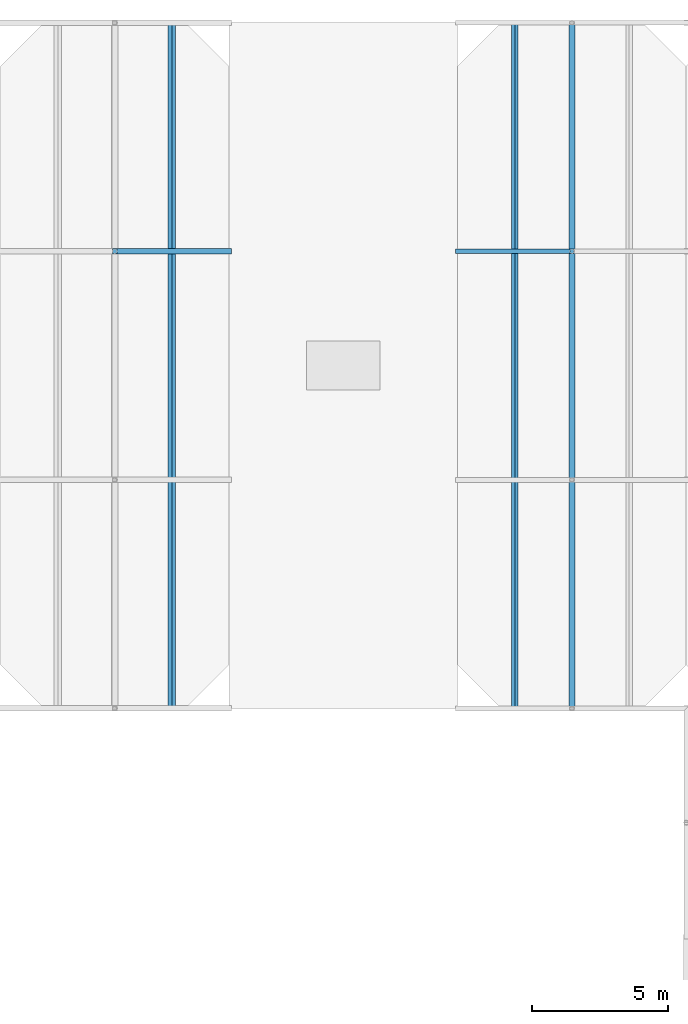
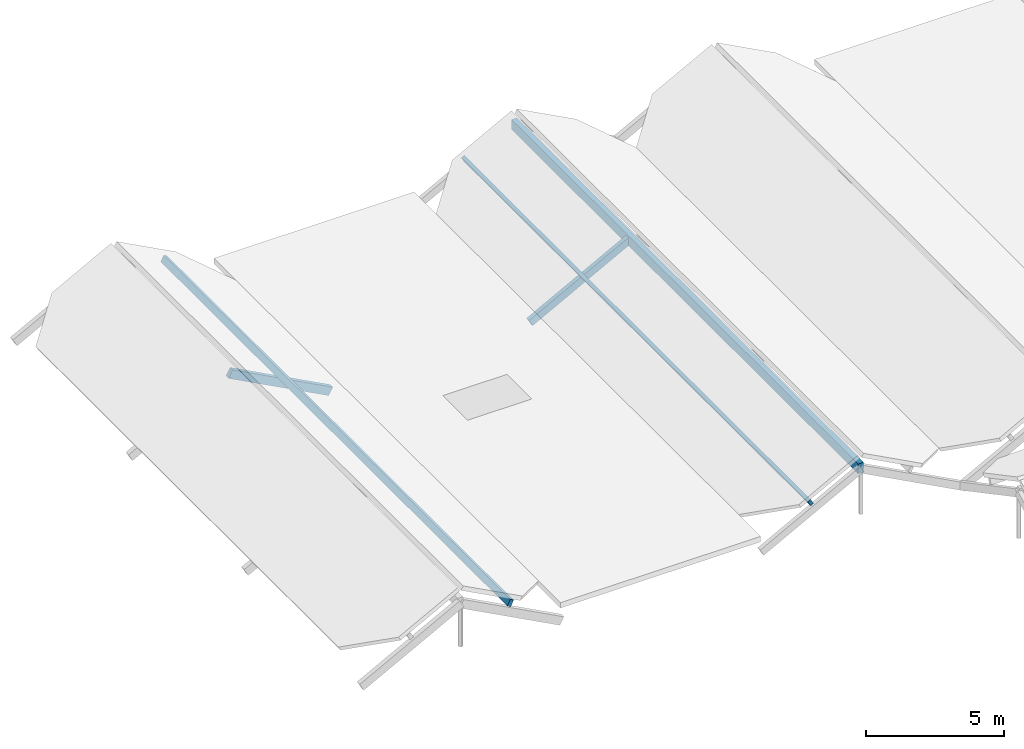
# One storey, part 49 of 82: 4 members, 1 beam.
"""IFC4 building model written with IfcOpenShell, lengths in metres."""

from ifc_helpers import new_model, si_unit, direction, frame, origin, origin_2d, place, context, subcontext, project, spatial, rectangle, extrude, material, material_profile, profile_set, type_object, element, save


model = new_model("IFC4")

# Units and contexts
model_context = context("Model", 3, precision=1e-05, world=origin(), true_north=direction((0.0, 1.0)))
body_context = subcontext(model_context, "Body", "Model", "MODEL_VIEW")
ifc_project = project(units=[si_unit("LENGTHUNIT", "METRE"), si_unit("AREAUNIT", "SQUARE_METRE"), si_unit("VOLUMEUNIT", "CUBIC_METRE"), si_unit("PLANEANGLEUNIT", "RADIAN"), si_unit("MASSUNIT", "GRAM", prefix="KILO")], contexts=[model_context])

# Site, building, storey
site_placement = place(None, origin())
site = spatial("IfcSite", under=ifc_project, at=site_placement, CompositionType="ELEMENT")
building_placement = place(site_placement, origin())
building = spatial("IfcBuilding", under=site, at=building_placement, Name="Bramfleet General Hospital", CompositionType="ELEMENT")
storey_placement = place(building_placement, frame((0.0, 0.0, 34.199951171875)))
storey = spatial("IfcBuildingStorey", under=building, at=storey_placement, Name="Roof", CompositionType="ELEMENT", Elevation=34.199951171875)

# Beam
ifc_material = material(Name="Structural timber GL28h", Category="wood")
ifc_material_profile_1 = material_profile(ifc_material, rectangle(XDim=0.219970703125, YDim=0.43994140625, at=origin_2d()), Name="GL28h 440x220")
ifc_profile_set_1 = profile_set([ifc_material_profile_1], Name="Structural timber GL28h")
beam_type = type_object("IfcBeamType", Name="BM-GL440", PredefinedType="BEAM", material=ifc_profile_set_1)
beam_placement = place(storey_placement, frame((88.199951171875, 92.39990234375, 1.561279296875), z_axis=(0.0, 1.0, 0.0), x_axis=(-1.0, 0.0, 0.0)))
element("IfcBeam", 1, at=beam_placement, inside=storey, type_object=beam_type, Name="Patient House PH-02 Glulam Ridge Beam", PredefinedType="BEAM", context=body_context, shape_type="SweptSolid", body=[
    extrude(rectangle(XDim=0.219970703125, YDim=0.43994140625, at=origin_2d()), origin(), (0.0, 0.0, 1.0), 25.2001953125),
])

# Members
ifc_material_profile_2 = material_profile(ifc_material, rectangle(XDim=0.139892578125, YDim=0.239990234375, at=origin_2d()), Name="GL28h 240x140")
ifc_profile_set_2 = profile_set([ifc_material_profile_2], Name="Structural timber GL28h")
member_type_1 = type_object("IfcMemberType", Name="MEM-PR-GL240", PredefinedType="PURLIN", material=ifc_profile_set_2)
member_1_placement = place(storey_placement, frame((86.10009765625, 92.39990234375, 0.754638671875), z_axis=(0.0, 1.0, 0.0), x_axis=(-0.882947592859, 0.0, -0.469471562786)))
element("IfcMember", 2, at=member_1_placement, inside=storey, type_object=member_type_1, Name="Patient House PH-02 West Glulam Purlin", PredefinedType="PURLIN", context=body_context, shape_type="SweptSolid", body=[
    extrude(rectangle(XDim=0.139892578125, YDim=0.239990234375, at=origin_2d()), origin(), (0.0, 0.0, 1.0), 25.2001953125),
])
ifc_material_profile_3 = material_profile(ifc_material, rectangle(XDim=0.159912109375, YDim=0.280029296875, at=origin_2d()), Name="GL28h 280x160")
ifc_profile_set_3 = profile_set([ifc_material_profile_3], Name="Structural timber GL28h")
member_type_2 = type_object("IfcMemberType", Name="MEM-PR-GL280", PredefinedType="PURLIN", material=ifc_profile_set_3)
member_2_placement = place(storey_placement, frame((73.5, 92.39990234375, 0.71533203125), z_axis=(0.0, 1.0, 0.0), x_axis=(-0.882947592859, 0.0, 0.469471562786)))
element("IfcMember", 3, at=member_2_placement, inside=storey, type_object=member_type_2, Name="Patient House PH-01 East Glulam Purlin", PredefinedType="PURLIN", context=body_context, shape_type="SweptSolid", body=[
    extrude(rectangle(XDim=0.159912109375, YDim=0.280029296875, at=origin_2d()), origin(), (0.0, 0.0, 1.0), 25.2001953125),
])
ifc_material_profile_4 = material_profile(ifc_material, rectangle(XDim=0.179931640625, YDim=0.320068359375, at=origin_2d()), Name="GL28h 320x180")
ifc_profile_set_4 = profile_set([ifc_material_profile_4], Name="Structural timber GL28h")
member_type_3 = type_object("IfcMemberType", Name="MEM-RF-GL320", PredefinedType="RAFTER", material=ifc_profile_set_4)
member_3_placement = place(storey_placement, frame((84.0, 109.199951171875, -0.671875), z_axis=(0.882947536541, 0.0, 0.469471668705), x_axis=(0.0, 1.0, 0.0)))
element("IfcMember", 4, at=member_3_placement, inside=storey, type_object=member_type_3, Name="Patient House PH-02 West Glulam Rafter 2", PredefinedType="RAFTER", context=body_context, shape_type="SweptSolid", body=[
    extrude(rectangle(XDim=0.179931640625, YDim=0.320068359375, at=origin_2d()), origin(), (0.0, 0.0, 1.0), 4.7568359375),
])
ifc_material_profile_5 = material_profile(ifc_material, rectangle(XDim=0.199951171875, YDim=0.360107421875, at=origin_2d()), Name="GL28h 360x200")
ifc_profile_set_5 = profile_set([ifc_material_profile_5], Name="Structural timber GL28h")
member_type_4 = type_object("IfcMemberType", Name="MEM-RF-GL360", PredefinedType="RAFTER", material=ifc_profile_set_5)
member_4_placement = place(storey_placement, frame((71.39990234375, 109.199951171875, 1.476806640625), z_axis=(0.882958848035, 0.0, -0.469450394267), x_axis=(0.0, 1.0, 0.0)))
element("IfcMember", 5, at=member_4_placement, inside=storey, type_object=member_type_4, Name="Patient House PH-01 East Glulam Rafter 2", PredefinedType="RAFTER", context=body_context, shape_type="SweptSolid", body=[
    extrude(rectangle(XDim=0.199951171875, YDim=0.360107421875, at=origin_2d()), origin(), (0.0, 0.0, 1.0), 4.7568359375),
])

save(model, "model.ifc")
